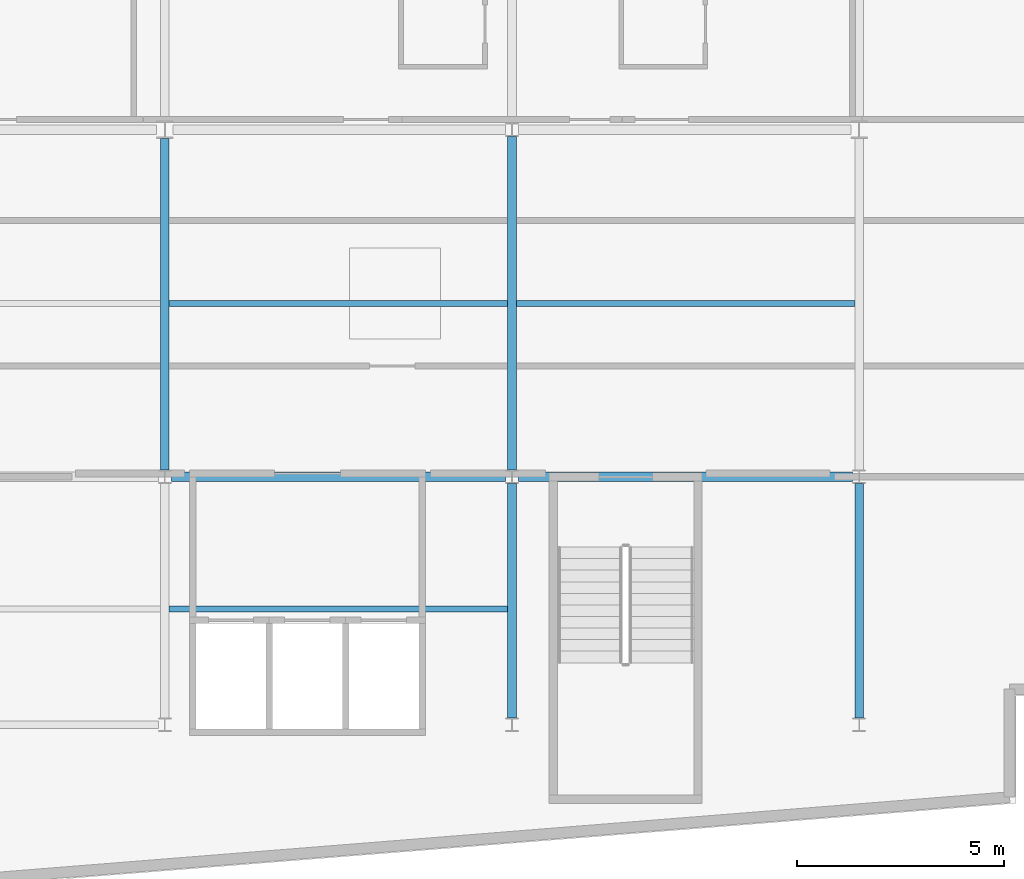
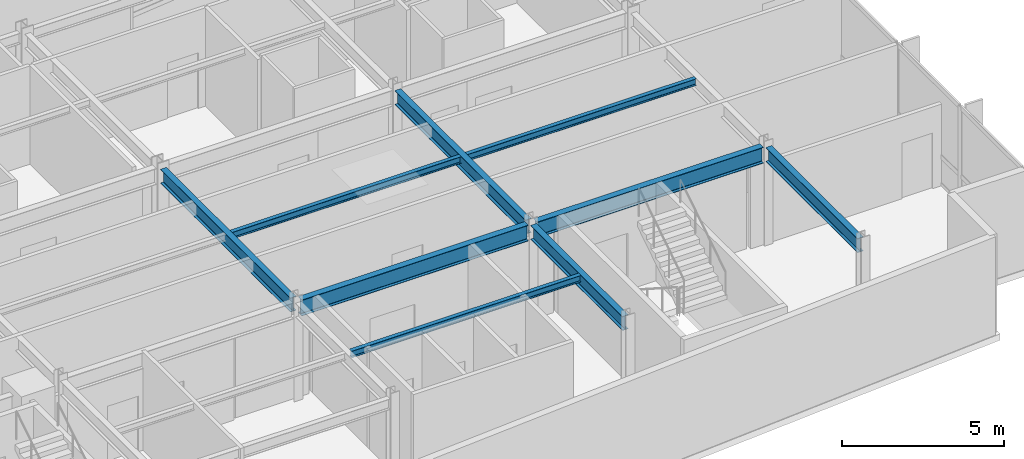
# One storey, part 4 of 18: 9 beams.
"""IFC4 building model written with IfcOpenShell, lengths in metres."""

from ifc_helpers import new_model, si_unit, direction, frame, origin, origin_2d, place, context, subcontext, project, spatial, i_section, extrude, material, material_profile, profile_set, type_object, element, save


model = new_model("IFC4")

# Units and contexts
model_context = context("Model", 3, precision=1e-05, world=origin(), true_north=direction((0.0, 1.0)))
body_context = subcontext(model_context, "Body", "Model", "MODEL_VIEW")
ifc_project = project(units=[si_unit("LENGTHUNIT", "METRE"), si_unit("AREAUNIT", "SQUARE_METRE"), si_unit("VOLUMEUNIT", "CUBIC_METRE"), si_unit("PLANEANGLEUNIT", "RADIAN"), si_unit("MASSUNIT", "GRAM", prefix="KILO")], contexts=[model_context])

# Site, building, storey
site_placement = place(None, origin())
site = spatial("IfcSite", under=ifc_project, at=site_placement, CompositionType="ELEMENT")
building_placement = place(site_placement, origin())
building = spatial("IfcBuilding", under=site, at=building_placement, Name="Varnakote Quay Hospital", CompositionType="ELEMENT")
storey_placement = place(building_placement, frame((0.0, 0.0, 138.89990234375)))
storey = spatial("IfcBuildingStorey", under=building, at=storey_placement, Name="L34", CompositionType="ELEMENT", Elevation=138.89990234375)

# Beams
ifc_material_1 = material(Name="Structural steel AS/NZS 3679.1 Grade 350 L0 (fy 340 MPa)", Category="steel")
ifc_material_profile_1 = material_profile(ifc_material_1, i_section(OverallWidth=0.208984375, OverallDepth=0.532958984375, WebThickness=0.01025390625, FlangeThickness=0.015625, FilletRadius=0.013916015625, at=origin_2d()), Name="530UB92.4")
ifc_profile_set_1 = profile_set([ifc_material_profile_1], Name="Structural steel AS/NZS 3679.1 Grade 350 L0 (fy 340 MPa)")
beam_type_1 = type_object("IfcBeamType", Name="BM-STL-530UB92-4", PredefinedType="BEAM", material=ifc_profile_set_1)
beam_1_placement = place(storey_placement, frame((33.60009765625, 12.160400390625, 3.443603515625), z_axis=(0.0, 1.0, 0.0), x_axis=(-1.0, 0.0, 0.0)))
element("IfcBeam", 1, at=beam_1_placement, inside=storey, type_object=beam_type_1, Name="L34 Primary Tie Beam", PredefinedType="BEAM", context=body_context, shape_type="SweptSolid", body=[
    extrude(i_section(OverallWidth=0.208984375, OverallDepth=0.532958984375, WebThickness=0.01025390625, FlangeThickness=0.015625, FilletRadius=0.013916015625, at=origin_2d()), origin(), (0.0, 0.0, 1.0), 8.029541015625),
])
beam_2_placement = place(storey_placement, frame((42.0, 6.160400390625, 3.443603515625), z_axis=(0.0, 1.0, 0.0), x_axis=(-1.0, 0.0, 0.0)))
element("IfcBeam", 2, at=beam_2_placement, inside=storey, type_object=beam_type_1, Name="L34 Primary Tie Beam", PredefinedType="BEAM", context=body_context, shape_type="SweptSolid", body=[
    extrude(i_section(OverallWidth=0.208984375, OverallDepth=0.532958984375, WebThickness=0.01025390625, FlangeThickness=0.015625, FilletRadius=0.013916015625, at=origin_2d()), origin(), (0.0, 0.0, 1.0), 5.67919921875),
])
beam_3_placement = place(storey_placement, frame((42.0, 12.160400390625, 3.443603515625), z_axis=(0.0, 1.0, 0.0), x_axis=(-1.0, 0.0, 0.0)))
element("IfcBeam", 3, at=beam_3_placement, inside=storey, type_object=beam_type_1, Name="L34 Primary Tie Beam", PredefinedType="BEAM", context=body_context, shape_type="SweptSolid", body=[
    extrude(i_section(OverallWidth=0.208984375, OverallDepth=0.532958984375, WebThickness=0.01025390625, FlangeThickness=0.015625, FilletRadius=0.013916015625, at=origin_2d()), origin(), (0.0, 0.0, 1.0), 8.0791015625),
])
beam_4_placement = place(storey_placement, frame((50.39990234375, 6.160400390625, 3.443603515625), z_axis=(0.0, 1.0, 0.0), x_axis=(-1.0, 0.0, 0.0)))
element("IfcBeam", 4, at=beam_4_placement, inside=storey, type_object=beam_type_1, Name="L34 Primary Tie Beam", PredefinedType="BEAM", context=body_context, shape_type="SweptSolid", body=[
    extrude(i_section(OverallWidth=0.208984375, OverallDepth=0.532958984375, WebThickness=0.01025390625, FlangeThickness=0.015625, FilletRadius=0.013916015625, at=origin_2d()), origin(), (0.0, 0.0, 1.0), 5.67919921875),
])
ifc_material_2 = material(Name="Structural steel AS/NZS 3679.1 Grade 350 L0 (fy 340 MPa)", Category="steel")
ifc_material_profile_2 = material_profile(ifc_material_2, i_section(OverallWidth=0.22802734375, OverallDepth=0.60205078125, WebThickness=0.010498046875, FlangeThickness=0.014892578125, FilletRadius=0.013916015625, at=origin_2d()), Name="610UB101")
ifc_profile_set_2 = profile_set([ifc_material_profile_2], Name="Structural steel AS/NZS 3679.1 Grade 350 L0 (fy 340 MPa)")
beam_type_2 = type_object("IfcBeamType", Name="BM-STL-610UB101", PredefinedType="BEAM", material=ifc_profile_set_2)
for number, where, z_axis, x_axis, name in (
    (5, (33.75439453125, 12.0, 3.4091796875), (1.0, 0.0, 0.0), (0.0, 1.0, 0.0), "L34 Primary Floor Beam"),
    (6, (42.154541015625, 12.0, 3.4091796875), (1.0, 0.0, 0.0), (0.0, 1.0, 0.0), "L34 Primary Floor Beam"),
):
    element("IfcBeam", number, at=place(storey_placement, frame(where, z_axis=z_axis, x_axis=x_axis)), inside=storey, type_object=beam_type_2, Name=name, PredefinedType="BEAM", context=body_context, shape_type="SweptSolid", body=[
        extrude(i_section(OverallWidth=0.22802734375, OverallDepth=0.60205078125, WebThickness=0.010498046875, FlangeThickness=0.014892578125, FilletRadius=0.013916015625, at=origin_2d()), origin(), (0.0, 0.0, 1.0), 8.091064453125),
    ])
ifc_material_3 = material(Name="Structural steel AS/NZS 3679.1 Grade 350 L0 (fy 340 MPa)", Category="steel")
ifc_material_profile_3 = material_profile(ifc_material_3, i_section(OverallWidth=0.14599609375, OverallDepth=0.256103515625, WebThickness=0.00634765625, FlangeThickness=0.010986328125, FilletRadius=0.0087890625, at=origin_2d()), Name="250UB37.3")
ifc_profile_set_3 = profile_set([ifc_material_profile_3], Name="Structural steel AS/NZS 3679.1 Grade 350 L0 (fy 340 MPa)")
beam_type_3 = type_object("IfcBeamType", Name="JST-STL-250UB37-3", PredefinedType="JOIST", material=ifc_profile_set_3)
for number, where, z_axis, x_axis, name in (
    (7, (33.70458984375, 8.800048828125, 3.58203125), (1.0, 0.0, 0.0), (0.0, 1.0, 0.0), "L34 Composite Floor Joist"),
    (8, (33.70458984375, 16.199951171875, 3.58203125), (1.0, 0.0, 0.0), (0.0, 1.0, 0.0), "L34 Composite Floor Joist"),
    (9, (42.1044921875, 16.199951171875, 3.58203125), (1.0, 0.0, 0.0), (0.0, 1.0, 0.0), "L34 Composite Floor Joist"),
):
    element("IfcBeam", number, at=place(storey_placement, frame(where, z_axis=z_axis, x_axis=x_axis)), inside=storey, type_object=beam_type_3, Name=name, PredefinedType="JOIST", context=body_context, shape_type="SweptSolid", body=[
        extrude(i_section(OverallWidth=0.14599609375, OverallDepth=0.256103515625, WebThickness=0.00634765625, FlangeThickness=0.010986328125, FilletRadius=0.0087890625, at=origin_2d()), origin(), (0.0, 0.0, 1.0), 8.19091796875),
    ])

save(model, "model.ifc")
